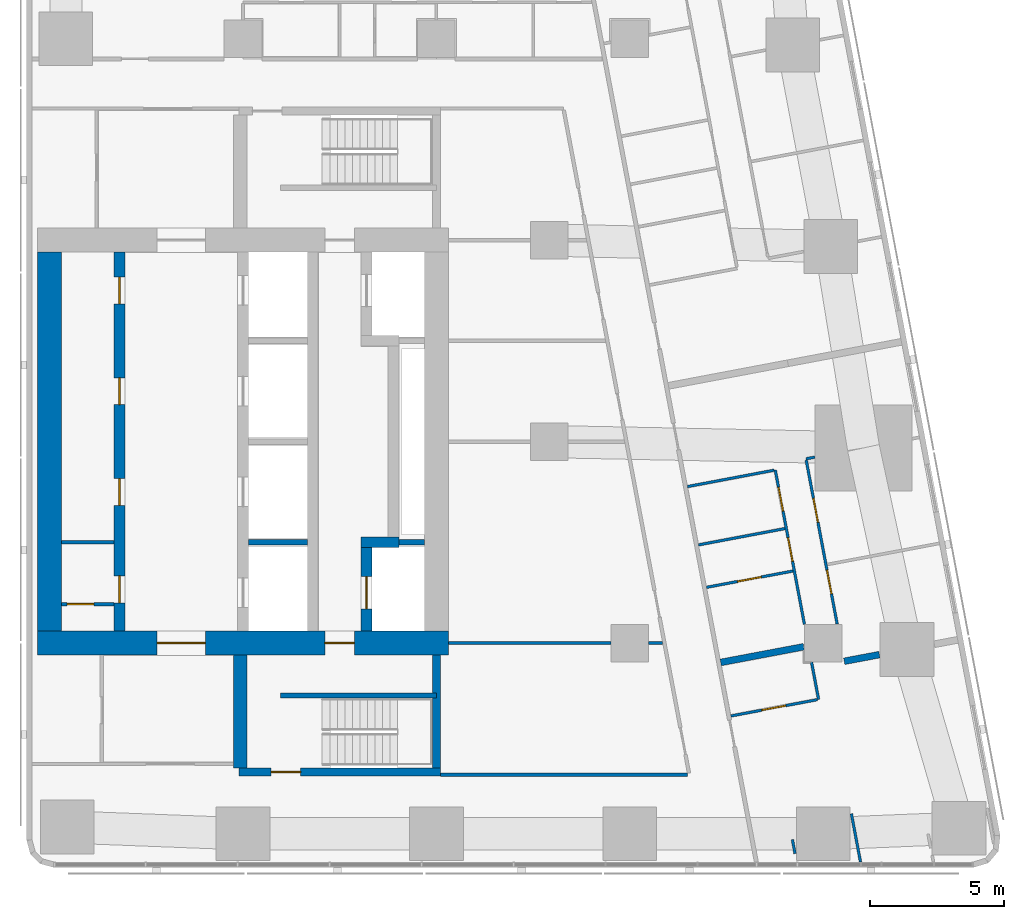
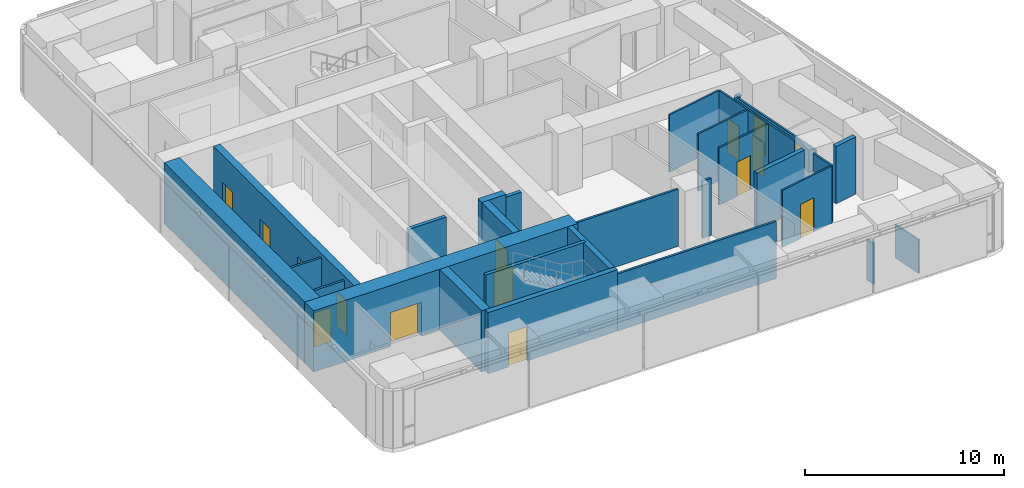
# One storey, part 5 of 11: 28 walls, 15 doors, 15 openings.
"""IFC4 building model written with IfcOpenShell, lengths in metres."""

from ifc_helpers import new_model, si_unit, direction, frame, frame_2d, origin, place, context, subcontext, project, spatial, rectangle, extrude, material, layer, layer_set, type_object, element, fill, save


model = new_model("IFC4")

# Units and contexts
model_context = context("Model", 3, precision=1e-05, world=origin(), true_north=direction((0.0, 1.0)))
body_context = subcontext(model_context, "Body", "Model", "MODEL_VIEW")
ifc_project = project(units=[si_unit("LENGTHUNIT", "METRE"), si_unit("AREAUNIT", "SQUARE_METRE"), si_unit("VOLUMEUNIT", "CUBIC_METRE"), si_unit("PLANEANGLEUNIT", "RADIAN"), si_unit("MASSUNIT", "GRAM", prefix="KILO")], contexts=[model_context])

# Site, building, storey
site_placement = place(None, origin())
site = spatial("IfcSite", under=ifc_project, at=site_placement, CompositionType="ELEMENT")
building_placement = place(site_placement, origin())
building = spatial("IfcBuilding", under=site, at=building_placement, Name="Sheger Commons Tower", CompositionType="ELEMENT")
storey_placement = place(building_placement, frame((0.0, 0.0, 270.35009765625)))
storey = spatial("IfcBuildingStorey", under=building, at=storey_placement, Name="L69", CompositionType="ELEMENT", Elevation=270.35009765625)

# Wall, openings, doors
ifc_material_1 = material(Name="Concrete C50/60", Category="concrete")
ifc_layer_1 = layer(ifc_material_1, 0.39990234375)
ifc_layer_set_1 = layer_set([ifc_layer_1], Name="CORE INNER WALL 400")
wall_type_1 = type_object("IfcWallType", Name="CORE INNER WALL 400", PredefinedType="SHEAR", material=ifc_layer_set_1)
wall_1_placement = place(storey_placement, frame((17.0, 15.449951171875, 0.0), z_axis=(0.0, 0.0, 1.0), x_axis=(0.0, 1.0, 0.0)))
wall_1 = element("IfcWall", 1, at=wall_1_placement, inside=storey, type_object=wall_type_1, Name="Core inner wall A L69", PredefinedType="SHEAR", context=body_context, shape_type="SweptSolid", body=[
    extrude(rectangle(XDim=14.10009765625, YDim=0.39990234375, at=frame_2d((7.050048828125, 0.0))), origin(), (0.0, 0.0, 1.0), 3.75),
])
opening_1_placement = place(wall_1_placement, frame((1.050048828125, 0.0, 0.0)))
opening_1 = element("IfcOpeningElement", 2, at=opening_1_placement, cuts=wall_1, Name="Opening D4", PredefinedType="OPENING", context=body_context, shape_type="SweptSolid", body=[
    extrude(rectangle(XDim=1.0, YDim=2.10009765625, at=frame_2d((0.5, 1.050048828125))), frame((0.0, 0.2099609375, 0.0), z_axis=(0.0, -1.0, 0.0), x_axis=(1.0, 0.0, 0.0)), (0.0, 0.0, 1.0), 0.419921875),
])
opening_2_placement = place(wall_1_placement, frame((4.675048828125, 0.0, 0.0)))
opening_2 = element("IfcOpeningElement", 3, at=opening_2_placement, cuts=wall_1, Name="Opening D4", PredefinedType="OPENING", context=body_context, shape_type="SweptSolid", body=[
    extrude(rectangle(XDim=1.0, YDim=2.10009765625, at=frame_2d((0.5, 1.050048828125))), frame((0.0, 0.2099609375, 0.0), z_axis=(0.0, -1.0, 0.0), x_axis=(1.0, 0.0, 0.0)), (0.0, 0.0, 1.0), 0.419921875),
])
opening_3_placement = place(wall_1_placement, frame((8.425048828125, 0.0, 0.0)))
opening_3 = element("IfcOpeningElement", 4, at=opening_3_placement, cuts=wall_1, Name="Opening D4", PredefinedType="OPENING", context=body_context, shape_type="SweptSolid", body=[
    extrude(rectangle(XDim=1.0, YDim=2.10009765625, at=frame_2d((0.5, 1.050048828125))), frame((0.0, 0.2099609375, 0.0), z_axis=(0.0, -1.0, 0.0), x_axis=(1.0, 0.0, 0.0)), (0.0, 0.0, 1.0), 0.419921875),
])
opening_4_placement = place(wall_1_placement, frame((12.175048828125, 0.0, 0.0)))
opening_4 = element("IfcOpeningElement", 5, at=opening_4_placement, cuts=wall_1, Name="Opening D4", PredefinedType="OPENING", context=body_context, shape_type="SweptSolid", body=[
    extrude(rectangle(XDim=1.0, YDim=2.10009765625, at=frame_2d((0.5, 1.050048828125))), frame((0.0, 0.2099609375, 0.0), z_axis=(0.0, -1.0, 0.0), x_axis=(1.0, 0.0, 0.0)), (0.0, 0.0, 1.0), 0.419921875),
])
ifc_material_2 = material(Name="Steel door set, fire rated", Category="steel")
door_type_1 = type_object("IfcDoorType", Name="SERVICE DOOR 1000x2100", OperationType="NOTDEFINED", PredefinedType="DOOR", material=ifc_material_2)
door_1_placement = place(opening_1_placement, origin())
door_1 = element("IfcDoor", 6, at=door_1_placement, inside=storey, type_object=door_type_1, Name="IT and telecom room door", OperationType="SINGLE_SWING_LEFT", OverallHeight=2.10009765625, OverallWidth=1.0, PredefinedType="DOOR", context=body_context, shape_type="SweptSolid", body=[
    extrude(rectangle(XDim=1.0, YDim=2.10009765625, at=frame_2d((0.5, 1.050048828125))), frame((0.0, 0.02490234375, 0.0), z_axis=(0.0, -1.0, 0.0), x_axis=(1.0, 0.0, 0.0)), (0.0, 0.0, 1.0), 0.050048828125),
])
fill(opening_1, door_1)
door_2_placement = place(opening_2_placement, origin())
door_2 = element("IfcDoor", 7, at=door_2_placement, inside=storey, type_object=door_type_1, Name="Linen and housekeeping store door", OperationType="SINGLE_SWING_LEFT", OverallHeight=2.10009765625, OverallWidth=1.0, PredefinedType="DOOR", context=body_context, shape_type="SweptSolid", body=[
    extrude(rectangle(XDim=1.0, YDim=2.10009765625, at=frame_2d((0.5, 1.050048828125))), frame((0.0, 0.02490234375, 0.0), z_axis=(0.0, -1.0, 0.0), x_axis=(1.0, 0.0, 0.0)), (0.0, 0.0, 1.0), 0.050048828125),
])
fill(opening_2, door_2)
door_3_placement = place(opening_3_placement, origin())
door_3 = element("IfcDoor", 8, at=door_3_placement, inside=storey, type_object=door_type_1, Name="Linen and housekeeping store door", OperationType="SINGLE_SWING_RIGHT", OverallHeight=2.10009765625, OverallWidth=1.0, PredefinedType="DOOR", context=body_context, shape_type="SweptSolid", body=[
    extrude(rectangle(XDim=1.0, YDim=2.10009765625, at=frame_2d((0.5, 1.050048828125))), frame((0.0, 0.02490234375, 0.0), z_axis=(0.0, -1.0, 0.0), x_axis=(1.0, 0.0, 0.0)), (0.0, 0.0, 1.0), 0.050048828125),
])
fill(opening_3, door_3)
door_4_placement = place(opening_4_placement, origin())
door_4 = element("IfcDoor", 9, at=door_4_placement, inside=storey, type_object=door_type_1, Name="Linen and housekeeping store door", OperationType="SINGLE_SWING_RIGHT", OverallHeight=2.10009765625, OverallWidth=1.0, PredefinedType="DOOR", context=body_context, shape_type="SweptSolid", body=[
    extrude(rectangle(XDim=1.0, YDim=2.10009765625, at=frame_2d((0.5, 1.050048828125))), frame((0.0, 0.02490234375, 0.0), z_axis=(0.0, -1.0, 0.0), x_axis=(1.0, 0.0, 0.0)), (0.0, 0.0, 1.0), 0.050048828125),
])
fill(opening_4, door_4)

# Wall, opening, door
wall_2_placement = place(storey_placement, frame((26.199951171875, 15.449951171875, 0.0), z_axis=(0.0, 0.0, 1.0), x_axis=(0.0, 1.0, 0.0)))
wall_2 = element("IfcWall", 10, at=wall_2_placement, inside=storey, type_object=wall_type_1, Name="Core inner wall F L69", PredefinedType="SHEAR", context=body_context, shape_type="SweptSolid", body=[
    extrude(rectangle(XDim=3.10009765625, YDim=0.39990234375, at=frame_2d((1.550048828125, 0.0))), origin(), (0.0, 0.0, 1.0), 3.75),
])
opening_5_placement = place(wall_2_placement, frame((0.824951171875, 0.0, 0.0)))
opening_5 = element("IfcOpeningElement", 11, at=opening_5_placement, cuts=wall_2, Name="Opening LD2", PredefinedType="OPENING", context=body_context, shape_type="SweptSolid", body=[
    extrude(rectangle(XDim=1.199951171875, YDim=2.10009765625, at=frame_2d((0.60009765625, 1.050048828125))), frame((0.0, 0.2099609375, 0.0), z_axis=(0.0, -1.0, 0.0), x_axis=(1.0, 0.0, 0.0)), (0.0, 0.0, 1.0), 0.419921875),
])
ifc_material_3 = material(Name="Steel door set, fire rated", Category="steel")
door_type_2 = type_object("IfcDoorType", Name="FIREFIGHTING LIFT LANDING DOOR 1200x2100", OperationType="DOUBLE_DOOR_SLIDING", PredefinedType="DOOR", material=ifc_material_3)
door_5_placement = place(opening_5_placement, origin())
door_5 = element("IfcDoor", 12, at=door_5_placement, inside=storey, type_object=door_type_2, Name="Lift FL1 landing door", OperationType="DOUBLE_DOOR_SLIDING", OverallHeight=2.10009765625, OverallWidth=1.199951171875, PredefinedType="DOOR", context=body_context, shape_type="SweptSolid", body=[
    extrude(rectangle(XDim=1.199951171875, YDim=2.10009765625, at=frame_2d((0.60009765625, 1.050048828125))), frame((0.0, 0.02490234375, 0.0), z_axis=(0.0, -1.0, 0.0), x_axis=(1.0, 0.0, 0.0)), (0.0, 0.0, 1.0), 0.050048828125),
])
fill(opening_5, door_5)

# Wall
wall_3_placement = place(storey_placement, frame((26.0, 18.75, 0.0), z_axis=(0.0, 0.0, 1.0), x_axis=(1.0, 0.0, 0.0)))
element("IfcWall", 13, at=wall_3_placement, inside=storey, type_object=wall_type_1, Name="Core inner wall F south return L69", PredefinedType="SHEAR", context=body_context, shape_type="SweptSolid", body=[
    extrude(rectangle(XDim=1.39990234375, YDim=0.39990234375, at=frame_2d((0.699951171875, 0.0))), origin(), (0.0, 0.0, 1.0), 3.75),
])

# Wall, openings, doors
ifc_material_4 = material(Name="Concrete C50/60", Category="concrete")
ifc_layer_2 = layer(ifc_material_4, 0.89990234375)
ifc_layer_set_2 = layer_set([ifc_layer_2], Name="CORE WALL 900")
wall_type_2 = type_object("IfcWallType", Name="CORE WALL 900", PredefinedType="SHEAR", material=ifc_layer_set_2)
wall_4_placement = place(storey_placement, frame((13.949951171875, 15.0, 0.0), z_axis=(0.0, 0.0, 1.0), x_axis=(1.0, 0.0, 0.0)))
wall_4 = element("IfcWall", 14, at=wall_4_placement, inside=storey, type_object=wall_type_2, Name="Core wall south L69", PredefinedType="SHEAR", context=body_context, shape_type="SweptSolid", body=[
    extrude(rectangle(XDim=15.300048828125, YDim=0.89990234375, at=frame_2d((7.64990234375, 0.0))), origin(), (0.0, 0.0, 1.0), 3.75),
])
opening_6_placement = place(wall_4_placement, frame((4.449951171875, 0.0, 0.0)))
opening_6 = element("IfcOpeningElement", 15, at=opening_6_placement, cuts=wall_4, Name="Opening D6", PredefinedType="OPENING", context=body_context, shape_type="SweptSolid", body=[
    extrude(rectangle(XDim=1.800048828125, YDim=2.10009765625, at=frame_2d((0.89990234375, 1.050048828125))), frame((0.0, 0.4599609375, 0.0), z_axis=(0.0, -1.0, 0.0), x_axis=(1.0, 0.0, 0.0)), (0.0, 0.0, 1.0), 0.919921875),
])
opening_7_placement = place(wall_4_placement, frame((10.699951171875, 0.0, 0.0)))
opening_7 = element("IfcOpeningElement", 16, at=opening_7_placement, cuts=wall_4, Name="Opening D5", PredefinedType="OPENING", context=body_context, shape_type="SweptSolid", body=[
    extrude(rectangle(XDim=1.10009765625, YDim=2.10009765625, at=frame_2d((0.550048828125, 1.050048828125))), frame((0.0, 0.4599609375, 0.0), z_axis=(0.0, -1.0, 0.0), x_axis=(1.0, 0.0, 0.0)), (0.0, 0.0, 1.0), 0.919921875),
])
ifc_material_5 = material(Name="Steel door set, fire rated", Category="steel")
door_type_3 = type_object("IfcDoorType", Name="LOBBY DOUBLE DOOR 1800x2100", OperationType="DOUBLE_DOOR_SINGLE_SWING", PredefinedType="DOOR", material=ifc_material_5)
door_6_placement = place(opening_6_placement, origin())
door_6 = element("IfcDoor", 17, at=door_6_placement, inside=storey, type_object=door_type_3, Name="Lift lobby door", OperationType="DOUBLE_DOOR_SINGLE_SWING", OverallHeight=2.10009765625, OverallWidth=1.800048828125, PredefinedType="DOOR", context=body_context, shape_type="SweptSolid", body=[
    extrude(rectangle(XDim=1.800048828125, YDim=2.10009765625, at=frame_2d((0.89990234375, 1.050048828125))), frame((0.0, 0.02490234375, 0.0), z_axis=(0.0, -1.0, 0.0), x_axis=(1.0, 0.0, 0.0)), (0.0, 0.0, 1.0), 0.050048828125),
])
fill(opening_6, door_6)
ifc_material_6 = material(Name="Steel door set, fire rated", Category="steel")
door_type_4 = type_object("IfcDoorType", Name="STAIR DOOR 1100x2100", OperationType="NOTDEFINED", PredefinedType="DOOR", material=ifc_material_6)
door_7_placement = place(opening_7_placement, origin())
door_7 = element("IfcDoor", 18, at=door_7_placement, inside=storey, type_object=door_type_4, Name="Fire-fighting lobby door", OperationType="SINGLE_SWING_RIGHT", OverallHeight=2.10009765625, OverallWidth=1.10009765625, PredefinedType="DOOR", context=body_context, shape_type="SweptSolid", body=[
    extrude(rectangle(XDim=1.10009765625, YDim=2.10009765625, at=frame_2d((0.550048828125, 1.050048828125))), frame((0.0, 0.02490234375, 0.0), z_axis=(0.0, -1.0, 0.0), x_axis=(1.0, 0.0, 0.0)), (0.0, 0.0, 1.0), 0.050048828125),
])
fill(opening_7, door_7)

# Walls
wall_5_placement = place(storey_placement, frame((14.39990234375, 15.449951171875, 0.0), z_axis=(0.0, 0.0, 1.0), x_axis=(0.0, 1.0, 0.0)))
element("IfcWall", 19, at=wall_5_placement, inside=storey, type_object=wall_type_2, Name="Core wall west L69", PredefinedType="SHEAR", context=body_context, shape_type="SweptSolid", body=[
    extrude(rectangle(XDim=14.10009765625, YDim=0.89990234375, at=frame_2d((7.050048828125, 0.0))), origin(), (0.0, 0.0, 1.0), 3.75),
])
ifc_material_7 = material(Name="Dense concrete block masonry, plastered both sides (separating wall between flats)", Category="masonry")
ifc_layer_3 = layer(ifc_material_7, 0.25)
ifc_layer_set_3 = layer_set([ifc_layer_3], Name="DEMISING WALL 250")
wall_type_3 = type_object("IfcWallType", Name="DEMISING WALL 250", PredefinedType="SOLIDWALL", material=ifc_layer_set_3)
wall_6_placement = place(storey_placement, frame((45.2900390625, 14.569091796875, 0.0), z_axis=(0.0, 0.0, 1.0), x_axis=(-0.982676759201, -0.185327782391, 0.0)))
element("IfcWall", 20, at=wall_6_placement, inside=storey, type_object=wall_type_3, Name="Demising wall L69", PredefinedType="SOLIDWALL", context=body_context, shape_type="SweptSolid", body=[
    extrude(rectangle(XDim=1.333251953125, YDim=0.25, at=frame_2d((0.66650390625, 0.0))), origin(), (0.0, 0.0, 1.0), 3.5),
])
wall_7_placement = place(storey_placement, frame((42.47607421875, 14.863037109375, 0.0), z_axis=(0.0, 0.0, 1.0), x_axis=(-0.982638716117, -0.185529387398, 0.0)))
element("IfcWall", 21, at=wall_7_placement, inside=storey, type_object=wall_type_3, Name="Demising wall L69", PredefinedType="SOLIDWALL", context=body_context, shape_type="SweptSolid", body=[
    extrude(rectangle(XDim=3.147705078125, YDim=0.25, at=frame_2d((1.57373046875, 0.0))), origin(), (0.0, 0.0, 1.0), 3.5),
])
ifc_material_8 = material(Name="Gypsum board on steel studs", Category="steel")
ifc_layer_4 = layer(ifc_material_8, 0.10009765625)
ifc_layer_set_4 = layer_set([ifc_layer_4], Name="PARTITION 100")
wall_type_4 = type_object("IfcWallType", Name="PARTITION 100", PredefinedType="PARTITIONING", material=ifc_layer_set_4)
wall_8_placement = place(storey_placement, frame((44.248046875, 8.64599609375, 0.0), z_axis=(0.0, 0.0, 1.0), x_axis=(0.185417594585, -0.982659816833, 0.0)))
element("IfcWall", 22, at=wall_8_placement, inside=storey, type_object=wall_type_4, Name="Partition L69", PredefinedType="PARTITIONING", context=body_context, shape_type="SweptSolid", body=[
    extrude(rectangle(XDim=1.82763671875, YDim=0.10009765625, at=frame_2d((0.913818359375, 0.0))), origin(), (0.0, 0.0, 1.0), 2.0498046875),
])
wall_9_placement = place(storey_placement, frame((42.15087890625, 7.159912109375, 0.0), z_axis=(0.0, 0.0, 1.0), x_axis=(-0.185366164644, 0.982669519729, 0.0)))
element("IfcWall", 23, at=wall_9_placement, inside=storey, type_object=wall_type_4, Name="Partition L69", PredefinedType="PARTITIONING", context=body_context, shape_type="SweptSolid", body=[
    extrude(rectangle(XDim=0.533447265625, YDim=0.10009765625, at=frame_2d((0.2666015625, 0.0))), origin(), (0.0, 0.0, 1.0), 2.5),
])

# Wall, openings, doors
wall_10_placement = place(storey_placement, frame((42.56591796875, 21.80908203125, 0.0), z_axis=(0.0, 0.0, 1.0), x_axis=(0.185613526435, -0.98262282632, 0.0)))
wall_10 = element("IfcWall", 24, at=wall_10_placement, inside=storey, type_object=wall_type_4, Name="Partition L69", PredefinedType="PARTITIONING", context=body_context, shape_type="SweptSolid", body=[
    extrude(rectangle(XDim=6.20703125, YDim=0.10009765625, at=frame_2d((3.103515625, 0.0))), origin(), (0.0, 0.0, 1.0), 2.5),
])
opening_8_placement = place(wall_10_placement, frame((1.449951171875, 0.0, 0.0)))
opening_8 = element("IfcOpeningElement", 25, at=opening_8_placement, cuts=wall_10, Name="Opening D2", PredefinedType="OPENING", context=body_context, shape_type="SweptSolid", body=[
    extrude(rectangle(XDim=0.89990234375, YDim=2.10009765625, at=frame_2d((0.449951171875, 1.050048828125))), frame((0.0, 0.06005859375, 0.0), z_axis=(0.0, -1.0, 0.0), x_axis=(1.0, 0.0, 0.0)), (0.0, 0.0, 1.0), 0.1201171875),
])
opening_9_placement = place(wall_10_placement, frame((4.1630859375, 0.0, 0.0)))
opening_9 = element("IfcOpeningElement", 26, at=opening_9_placement, cuts=wall_10, Name="Opening D2", PredefinedType="OPENING", context=body_context, shape_type="SweptSolid", body=[
    extrude(rectangle(XDim=0.89990234375, YDim=2.10009765625, at=frame_2d((0.449951171875, 1.050048828125))), frame((0.0, 0.06005859375, 0.0), z_axis=(0.0, -1.0, 0.0), x_axis=(1.0, 0.0, 0.0)), (0.0, 0.0, 1.0), 0.1201171875),
])
ifc_material_9 = material(Name="Timber door set", Category="wood")
door_type_5 = type_object("IfcDoorType", Name="INTERNAL DOOR 900x2100", OperationType="NOTDEFINED", PredefinedType="DOOR", material=ifc_material_9)
door_8_placement = place(opening_8_placement, origin())
door_8 = element("IfcDoor", 27, at=door_8_placement, inside=storey, type_object=door_type_5, Name="Main bedroom door", OperationType="SINGLE_SWING_LEFT", OverallHeight=2.10009765625, OverallWidth=0.89990234375, PredefinedType="DOOR", context=body_context, shape_type="SweptSolid", body=[
    extrude(rectangle(XDim=0.89990234375, YDim=2.10009765625, at=frame_2d((0.449951171875, 1.050048828125))), frame((0.0, 0.02490234375, 0.0), z_axis=(0.0, -1.0, 0.0), x_axis=(1.0, 0.0, 0.0)), (0.0, 0.0, 1.0), 0.050048828125),
])
fill(opening_8, door_8)
door_9_placement = place(opening_9_placement, origin())
door_9 = element("IfcDoor", 28, at=door_9_placement, inside=storey, type_object=door_type_5, Name="Bedroom 2 door", OperationType="SINGLE_SWING_LEFT", OverallHeight=2.10009765625, OverallWidth=0.89990234375, PredefinedType="DOOR", context=body_context, shape_type="SweptSolid", body=[
    extrude(rectangle(XDim=0.89990234375, YDim=2.10009765625, at=frame_2d((0.449951171875, 1.050048828125))), frame((0.0, 0.02490234375, 0.0), z_axis=(0.0, -1.0, 0.0), x_axis=(1.0, 0.0, 0.0)), (0.0, 0.0, 1.0), 0.050048828125),
])
fill(opening_9, door_9)

wall_11_placement = place(storey_placement, frame((41.4140625, 21.44189453125, 0.0), z_axis=(0.0, 0.0, 1.0), x_axis=(0.185698675093, -0.982606738257, 0.0)))
wall_11 = element("IfcWall", 29, at=wall_11_placement, inside=storey, type_object=wall_type_4, Name="Partition L69", PredefinedType="PARTITIONING", context=body_context, shape_type="SweptSolid", body=[
    extrude(rectangle(XDim=5.842529296875, YDim=0.10009765625, at=frame_2d((2.92138671875, 0.0))), origin(), (0.0, 0.0, 1.0), 3.5),
])
opening_10_placement = place(wall_11_placement, frame((0.655029296875, 0.0, 0.0)))
opening_10 = element("IfcOpeningElement", 30, at=opening_10_placement, cuts=wall_11, Name="Opening D2", PredefinedType="OPENING", context=body_context, shape_type="SweptSolid", body=[
    extrude(rectangle(XDim=0.89990234375, YDim=2.10009765625, at=frame_2d((0.449951171875, 1.050048828125))), frame((0.0, 0.06005859375, 0.0), z_axis=(0.0, -1.0, 0.0), x_axis=(1.0, 0.0, 0.0)), (0.0, 0.0, 1.0), 0.1201171875),
])
opening_11_placement = place(wall_11_placement, frame((2.56298828125, 0.0, 0.0)))
opening_11 = element("IfcOpeningElement", 31, at=opening_11_placement, cuts=wall_11, Name="Opening D2", PredefinedType="OPENING", context=body_context, shape_type="SweptSolid", body=[
    extrude(rectangle(XDim=0.89990234375, YDim=2.10009765625, at=frame_2d((0.449951171875, 1.050048828125))), frame((0.0, 0.06005859375, 0.0), z_axis=(0.0, -1.0, 0.0), x_axis=(1.0, 0.0, 0.0)), (0.0, 0.0, 1.0), 0.1201171875),
])
door_10_placement = place(opening_10_placement, origin())
door_10 = element("IfcDoor", 32, at=door_10_placement, inside=storey, type_object=door_type_5, Name="Bathroom door", OperationType="SINGLE_SWING_RIGHT", OverallHeight=2.10009765625, OverallWidth=0.89990234375, PredefinedType="DOOR", context=body_context, shape_type="SweptSolid", body=[
    extrude(rectangle(XDim=0.89990234375, YDim=2.10009765625, at=frame_2d((0.449951171875, 1.050048828125))), frame((0.0, 0.02490234375, 0.0), z_axis=(0.0, -1.0, 0.0), x_axis=(1.0, 0.0, 0.0)), (0.0, 0.0, 1.0), 0.050048828125),
])
fill(opening_10, door_10)
door_11_placement = place(opening_11_placement, origin())
door_11 = element("IfcDoor", 33, at=door_11_placement, inside=storey, type_object=door_type_5, Name="Store door", OperationType="SINGLE_SWING_LEFT", OverallHeight=2.10009765625, OverallWidth=0.89990234375, PredefinedType="DOOR", context=body_context, shape_type="SweptSolid", body=[
    extrude(rectangle(XDim=0.89990234375, YDim=2.10009765625, at=frame_2d((0.449951171875, 1.050048828125))), frame((0.0, 0.02490234375, 0.0), z_axis=(0.0, -1.0, 0.0), x_axis=(1.0, 0.0, 0.0)), (0.0, 0.0, 1.0), 0.050048828125),
])
fill(opening_11, door_11)

# Walls
wall_12_placement = place(storey_placement, frame((42.886962890625, 21.9208984375, 0.0), z_axis=(0.0, 0.0, 1.0), x_axis=(-0.982274918032, -0.187445953293, 0.0)))
element("IfcWall", 34, at=wall_12_placement, inside=storey, type_object=wall_type_4, Name="Partition L69", PredefinedType="PARTITIONING", context=body_context, shape_type="SweptSolid", body=[
    extrude(rectangle(XDim=0.3359375, YDim=0.10009765625, at=frame_2d((0.16796875, 0.0))), origin(), (0.0, 0.0, 1.0), 2.5),
])
wall_13_placement = place(storey_placement, frame((41.364990234375, 21.43310546875, 0.0), z_axis=(0.0, 0.0, 1.0), x_axis=(-0.982607026909, -0.185697147715, 0.0)))
element("IfcWall", 35, at=wall_13_placement, inside=storey, type_object=wall_type_4, Name="Partition L69", PredefinedType="PARTITIONING", context=body_context, shape_type="SweptSolid", body=[
    extrude(rectangle(XDim=3.27490234375, YDim=0.10009765625, at=frame_2d((1.637451171875, 0.0))), origin(), (0.0, 0.0, 1.0), 3.5),
])

# Wall, opening, door
wall_14_placement = place(storey_placement, frame((42.072998046875, 17.681884765625, 0.0), z_axis=(0.0, 0.0, 1.0), x_axis=(-0.982620626894, -0.185625169636, 0.0)))
wall_14 = element("IfcWall", 36, at=wall_14_placement, inside=storey, type_object=wall_type_4, Name="Partition L69", PredefinedType="PARTITIONING", context=body_context, shape_type="SweptSolid", body=[
    extrude(rectangle(XDim=3.27490234375, YDim=0.10009765625, at=frame_2d((1.637451171875, 0.0))), origin(), (0.0, 0.0, 1.0), 3.5),
])
opening_12_placement = place(wall_14_placement, frame((1.199951171875, 0.0, 0.0)))
opening_12 = element("IfcOpeningElement", 37, at=opening_12_placement, cuts=wall_14, Name="Opening D2", PredefinedType="OPENING", context=body_context, shape_type="SweptSolid", body=[
    extrude(rectangle(XDim=0.89990234375, YDim=2.10009765625, at=frame_2d((0.449951171875, 1.050048828125))), frame((0.0, 0.06005859375, 0.0), z_axis=(0.0, -1.0, 0.0), x_axis=(1.0, 0.0, 0.0)), (0.0, 0.0, 1.0), 0.1201171875),
])
door_12_placement = place(opening_12_placement, origin())
door_12 = element("IfcDoor", 38, at=door_12_placement, inside=storey, type_object=door_type_5, Name="Store door", OperationType="SINGLE_SWING_LEFT", OverallHeight=2.10009765625, OverallWidth=0.89990234375, PredefinedType="DOOR", context=body_context, shape_type="SweptSolid", body=[
    extrude(rectangle(XDim=0.89990234375, YDim=2.10009765625, at=frame_2d((0.449951171875, 1.050048828125))), frame((0.0, 0.02490234375, 0.0), z_axis=(0.0, -1.0, 0.0), x_axis=(1.0, 0.0, 0.0)), (0.0, 0.0, 1.0), 0.050048828125),
])
fill(opening_12, door_12)

# Walls
wall_15_placement = place(storey_placement, frame((41.77490234375, 19.260986328125, 0.0), z_axis=(0.0, 0.0, 1.0), x_axis=(-0.982620626894, -0.185625169636, 0.0)))
element("IfcWall", 39, at=wall_15_placement, inside=storey, type_object=wall_type_4, Name="Partition L69", PredefinedType="PARTITIONING", context=body_context, shape_type="SweptSolid", body=[
    extrude(rectangle(XDim=3.27490234375, YDim=0.10009765625, at=frame_2d((1.637451171875, 0.0))), origin(), (0.0, 0.0, 1.0), 3.5),
])
wall_16_placement = place(storey_placement, frame((42.764892578125, 14.2900390625, 0.0), z_axis=(0.0, 0.0, 1.0), x_axis=(0.185634589628, -0.982618847333, 0.0)))
element("IfcWall", 40, at=wall_16_placement, inside=storey, type_object=wall_type_4, Name="Partition L69", PredefinedType="PARTITIONING", context=body_context, shape_type="SweptSolid", body=[
    extrude(rectangle(XDim=1.41259765625, YDim=0.10009765625, at=frame_2d((0.706298828125, 0.0))), origin(), (0.0, 0.0, 1.0), 3.5),
])

# Wall, opening, door
wall_17_placement = place(storey_placement, frame((42.97802734375, 12.89306640625, 0.0), z_axis=(0.0, 0.0, 1.0), x_axis=(-0.982607026909, -0.185697147715, 0.0)))
wall_17 = element("IfcWall", 41, at=wall_17_placement, inside=storey, type_object=wall_type_4, Name="Partition L69", PredefinedType="PARTITIONING", context=body_context, shape_type="SweptSolid", body=[
    extrude(rectangle(XDim=3.27490234375, YDim=0.10009765625, at=frame_2d((1.637451171875, 0.0))), origin(), (0.0, 0.0, 1.0), 3.5),
])
opening_13_placement = place(wall_17_placement, frame((1.199951171875, 0.0, 0.0)))
opening_13 = element("IfcOpeningElement", 42, at=opening_13_placement, cuts=wall_17, Name="Opening D2", PredefinedType="OPENING", context=body_context, shape_type="SweptSolid", body=[
    extrude(rectangle(XDim=0.89990234375, YDim=2.10009765625, at=frame_2d((0.449951171875, 1.050048828125))), frame((0.0, 0.06005859375, 0.0), z_axis=(0.0, -1.0, 0.0), x_axis=(1.0, 0.0, 0.0)), (0.0, 0.0, 1.0), 0.1201171875),
])
door_13_placement = place(opening_13_placement, origin())
door_13 = element("IfcDoor", 43, at=door_13_placement, inside=storey, type_object=door_type_5, Name="Shower room door", OperationType="SINGLE_SWING_LEFT", OverallHeight=2.10009765625, OverallWidth=0.89990234375, PredefinedType="DOOR", context=body_context, shape_type="SweptSolid", body=[
    extrude(rectangle(XDim=0.89990234375, YDim=2.10009765625, at=frame_2d((0.449951171875, 1.050048828125))), frame((0.0, 0.02490234375, 0.0), z_axis=(0.0, -1.0, 0.0), x_axis=(1.0, 0.0, 0.0)), (0.0, 0.0, 1.0), 0.050048828125),
])
fill(opening_13, door_13)

# Walls
ifc_material_10 = material(Name="Gypsum board on steel studs, two layers each side, fire rated", Category="steel")
ifc_layer_5 = layer(ifc_material_10, 0.125)
ifc_layer_set_5 = layer_set([ifc_layer_5], Name="SERVICE WALL 125")
wall_type_5 = type_object("IfcWallType", Name="SERVICE WALL 125", PredefinedType="PARTITIONING", material=ifc_layer_set_5)
wall_18_placement = place(storey_placement, frame((28.949951171875, 10.10009765625, 0.0), z_axis=(0.0, 0.0, 1.0), x_axis=(1.0, 0.0, 0.0)))
element("IfcWall", 44, at=wall_18_placement, inside=storey, type_object=wall_type_5, Name="Service room wall L69", PredefinedType="PARTITIONING", context=body_context, shape_type="SweptSolid", body=[
    extrude(rectangle(XDim=9.18798828125, YDim=0.125, at=frame_2d((4.593994140625, 0.0))), origin(), (0.0, 0.0, 1.0), 3.5),
])
wall_19_placement = place(storey_placement, frame((29.25, 15.0, 0.0), z_axis=(0.0, 0.0, 1.0), x_axis=(1.0, 0.0, 0.0)))
element("IfcWall", 45, at=wall_19_placement, inside=storey, type_object=wall_type_5, Name="Service room wall L69", PredefinedType="PARTITIONING", context=body_context, shape_type="SweptSolid", body=[
    extrude(rectangle(XDim=6.049072265625, YDim=0.125, at=frame_2d((3.0244140625, 0.0))), origin(), (0.0, 0.0, 1.0), 3.5),
])
wall_20_placement = place(storey_placement, frame((36.700927734375, 15.0, 0.0), z_axis=(0.0, 0.0, 1.0), x_axis=(1.0, 0.0, 0.0)))
element("IfcWall", 46, at=wall_20_placement, inside=storey, type_object=wall_type_5, Name="Service room wall L69", PredefinedType="PARTITIONING", context=body_context, shape_type="SweptSolid", body=[
    extrude(rectangle(XDim=0.511962890625, YDim=0.125, at=frame_2d((0.255859375, 0.0))), origin(), (0.0, 0.0, 1.0), 3.5),
])

# Wall, opening, door
wall_21_placement = place(storey_placement, frame((14.85009765625, 16.449951171875, 0.0), z_axis=(0.0, 0.0, 1.0), x_axis=(1.0, 0.0, 0.0)))
wall_21 = element("IfcWall", 47, at=wall_21_placement, inside=storey, type_object=wall_type_5, Name="Service room wall L69", PredefinedType="PARTITIONING", context=body_context, shape_type="SweptSolid", body=[
    extrude(rectangle(XDim=1.949951171875, YDim=0.125, at=frame_2d((0.97509765625, 0.0))), origin(), (0.0, 0.0, 1.0), 3.5),
])
opening_14_placement = place(wall_21_placement, frame((0.199951171875, 0.0, 0.0)))
opening_14 = element("IfcOpeningElement", 48, at=opening_14_placement, cuts=wall_21, Name="Opening D4", PredefinedType="OPENING", context=body_context, shape_type="SweptSolid", body=[
    extrude(rectangle(XDim=1.0, YDim=2.10009765625, at=frame_2d((0.5, 1.050048828125))), frame((0.0, 0.072509765625, 0.0), z_axis=(0.0, -1.0, 0.0), x_axis=(1.0, 0.0, 0.0)), (0.0, 0.0, 1.0), 0.14501953125),
])
door_14_placement = place(opening_14_placement, origin())
door_14 = element("IfcDoor", 49, at=door_14_placement, inside=storey, type_object=door_type_1, Name="Electrical riser door", OperationType="SINGLE_SWING_RIGHT", OverallHeight=2.10009765625, OverallWidth=1.0, PredefinedType="DOOR", context=body_context, shape_type="SweptSolid", body=[
    extrude(rectangle(XDim=1.0, YDim=2.10009765625, at=frame_2d((0.5, 1.050048828125))), frame((0.0, 0.02490234375, 0.0), z_axis=(0.0, -1.0, 0.0), x_axis=(1.0, 0.0, 0.0)), (0.0, 0.0, 1.0), 0.050048828125),
])
fill(opening_14, door_14)

# Walls
wall_22_placement = place(storey_placement, frame((14.85009765625, 18.75, 0.0), z_axis=(0.0, 0.0, 1.0), x_axis=(1.0, 0.0, 0.0)))
element("IfcWall", 50, at=wall_22_placement, inside=storey, type_object=wall_type_5, Name="Service room wall L69", PredefinedType="PARTITIONING", context=body_context, shape_type="SweptSolid", body=[
    extrude(rectangle(XDim=1.949951171875, YDim=0.125, at=frame_2d((0.97509765625, 0.0))), origin(), (0.0, 0.0, 1.0), 3.5),
])
ifc_material_11 = material(Name="Hollow concrete block masonry", Category="masonry")
ifc_layer_6 = layer(ifc_material_11, 0.199951171875)
ifc_layer_set_6 = layer_set([ifc_layer_6], Name="SHAFT WALL 200")
wall_type_6 = type_object("IfcWallType", Name="SHAFT WALL 200", PredefinedType="SOLIDWALL", material=ifc_layer_set_6)
wall_23_placement = place(storey_placement, frame((21.800048828125, 18.75, 0.0), z_axis=(0.0, 0.0, 1.0), x_axis=(1.0, 0.0, 0.0)))
element("IfcWall", 51, at=wall_23_placement, inside=storey, type_object=wall_type_6, Name="Lift shaft wall L69", PredefinedType="SOLIDWALL", context=body_context, shape_type="SweptSolid", body=[
    extrude(rectangle(XDim=2.199951171875, YDim=0.199951171875, at=frame_2d((1.10009765625, 0.0))), origin(), (0.0, 0.0, 1.0), 3.5),
])
wall_24_placement = place(storey_placement, frame((27.39990234375, 18.75, 0.0), z_axis=(0.0, 0.0, 1.0), x_axis=(1.0, 0.0, 0.0)))
element("IfcWall", 52, at=wall_24_placement, inside=storey, type_object=wall_type_6, Name="Lift shaft wall L69", PredefinedType="SOLIDWALL", context=body_context, shape_type="SweptSolid", body=[
    extrude(rectangle(XDim=0.9501953125, YDim=0.199951171875, at=frame_2d((0.47509765625, 0.0))), origin(), (0.0, 0.0, 1.0), 3.5),
])

# Wall, opening, door
ifc_material_12 = material(Name="Concrete C50/60", Category="concrete")
ifc_layer_7 = layer(ifc_material_12, 0.300048828125)
ifc_layer_set_7 = layer_set([ifc_layer_7], Name="STAIR CORE WALL 300")
wall_type_7 = type_object("IfcWallType", Name="STAIR CORE WALL 300", PredefinedType="SHEAR", material=ifc_layer_set_7)
wall_25_placement = place(storey_placement, frame((21.449951171875, 10.199951171875, 0.0), z_axis=(0.0, 0.0, 1.0), x_axis=(1.0, 0.0, 0.0)))
wall_25 = element("IfcWall", 53, at=wall_25_placement, inside=storey, type_object=wall_type_7, Name="STW-L69-S1S", PredefinedType="SHEAR", context=body_context, shape_type="SweptSolid", body=[
    extrude(rectangle(XDim=7.5, YDim=0.300048828125, at=frame_2d((3.75, 0.0))), origin(), (0.0, 0.0, 1.0), 3.75),
])
opening_15_placement = place(wall_25_placement, frame((1.199951171875, 0.0, 0.0)))
opening_15 = element("IfcOpeningElement", 54, at=opening_15_placement, cuts=wall_25, Name="Opening D5", PredefinedType="OPENING", context=body_context, shape_type="SweptSolid", body=[
    extrude(rectangle(XDim=1.10009765625, YDim=2.10009765625, at=frame_2d((0.550048828125, 1.050048828125))), frame((0.0, 0.159912109375, 0.0), z_axis=(0.0, -1.0, 0.0), x_axis=(1.0, 0.0, 0.0)), (0.0, 0.0, 1.0), 0.320068359375),
])
door_15_placement = place(opening_15_placement, origin())
door_15 = element("IfcDoor", 55, at=door_15_placement, inside=storey, type_object=door_type_4, Name="Stair S1 door", OperationType="SINGLE_SWING_LEFT", OverallHeight=2.10009765625, OverallWidth=1.10009765625, PredefinedType="DOOR", context=body_context, shape_type="SweptSolid", body=[
    extrude(rectangle(XDim=1.10009765625, YDim=2.10009765625, at=frame_2d((0.550048828125, 1.050048828125))), frame((0.0, 0.02490234375, 0.0), z_axis=(0.0, -1.0, 0.0), x_axis=(1.0, 0.0, 0.0)), (0.0, 0.0, 1.0), 0.050048828125),
])
fill(opening_15, door_15)

# Walls
wall_26_placement = place(storey_placement, frame((28.800048828125, 10.35009765625, 0.0), z_axis=(0.0, 0.0, 1.0), x_axis=(0.0, 1.0, 0.0)))
element("IfcWall", 56, at=wall_26_placement, inside=storey, type_object=wall_type_7, Name="STW-L69-S1E", PredefinedType="SHEAR", context=body_context, shape_type="SweptSolid", body=[
    extrude(rectangle(XDim=4.199951171875, YDim=0.300048828125, at=frame_2d((2.10009765625, 0.0))), origin(), (0.0, 0.0, 1.0), 3.75),
])
ifc_material_13 = material(Name="Concrete C50/60", Category="concrete")
ifc_layer_8 = layer(ifc_material_13, 0.5)
ifc_layer_set_8 = layer_set([ifc_layer_8], Name="STAIR CORE WALL 500")
wall_type_8 = type_object("IfcWallType", Name="STAIR CORE WALL 500", PredefinedType="SHEAR", material=ifc_layer_set_8)
wall_27_placement = place(storey_placement, frame((21.5, 10.35009765625, 0.0), z_axis=(0.0, 0.0, 1.0), x_axis=(0.0, 1.0, 0.0)))
element("IfcWall", 57, at=wall_27_placement, inside=storey, type_object=wall_type_8, Name="STW-L69-S1W", PredefinedType="SHEAR", context=body_context, shape_type="SweptSolid", body=[
    extrude(rectangle(XDim=4.199951171875, YDim=0.5, at=frame_2d((2.10009765625, 0.0))), origin(), (0.0, 0.0, 1.0), 3.75),
])
ifc_material_14 = material(Name="Concrete C50/60", Category="concrete")
ifc_layer_9 = layer(ifc_material_14, 0.199951171875)
ifc_layer_set_9 = layer_set([ifc_layer_9], Name="STAIR SPINE WALL 200")
wall_type_9 = type_object("IfcWallType", Name="STAIR SPINE WALL 200", PredefinedType="SHEAR", material=ifc_layer_set_9)
wall_28_placement = place(storey_placement, frame((23.0, 13.050048828125, 0.0), z_axis=(0.0, 0.0, 1.0), x_axis=(1.0, 0.0, 0.0)))
element("IfcWall", 58, at=wall_28_placement, inside=storey, type_object=wall_type_9, Name="Stair spine wall L69", PredefinedType="SHEAR", context=body_context, shape_type="SweptSolid", body=[
    extrude(rectangle(XDim=5.800048828125, YDim=0.199951171875, at=frame_2d((2.89990234375, 0.0))), origin(), (0.0, 0.0, 1.0), 3.75),
])

save(model, "model.ifc")
